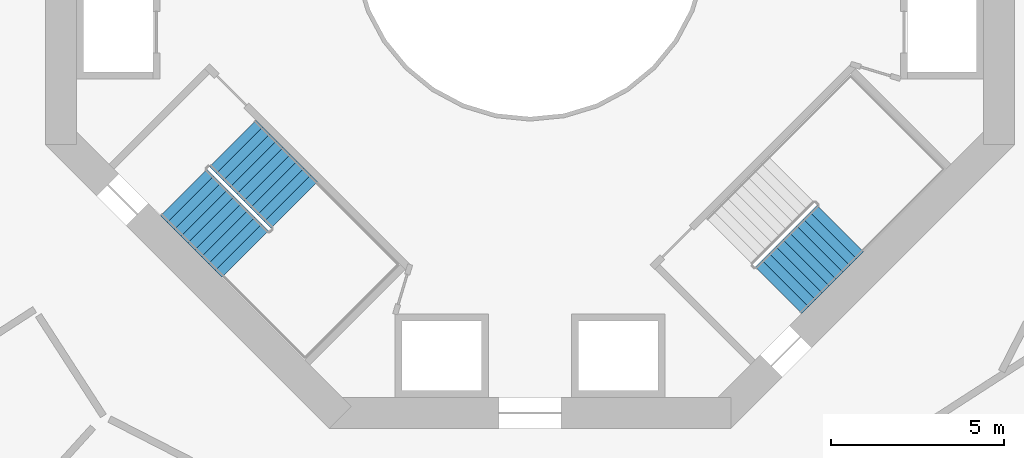
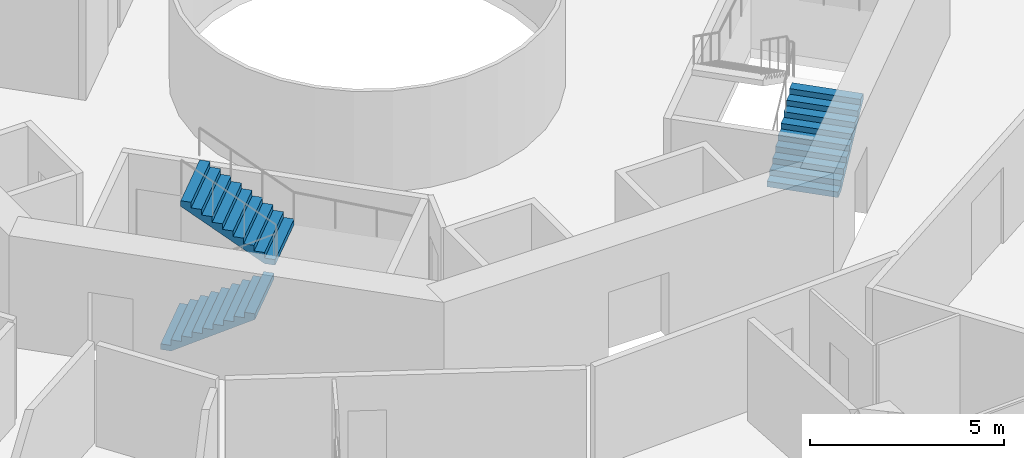
# One storey, part 23 of 25: 3 stair flights, 2 elements without a shape of their own.
"""IFC4 building model written with IfcOpenShell, lengths in metres."""

from ifc_helpers import new_model, si_unit, direction, frame, origin, place, context, subcontext, project, spatial, triangles, material, type_object, element, aggregate, save


model = new_model("IFC4")

# Units and contexts
model_context = context("Model", 3, precision=1e-05, world=origin(), true_north=direction((0.0, 1.0)))
body_context = subcontext(model_context, "Body", "Model", "MODEL_VIEW")
ifc_project = project(units=[si_unit("LENGTHUNIT", "METRE"), si_unit("AREAUNIT", "SQUARE_METRE"), si_unit("VOLUMEUNIT", "CUBIC_METRE"), si_unit("PLANEANGLEUNIT", "RADIAN"), si_unit("MASSUNIT", "GRAM", prefix="KILO")], contexts=[model_context])

# Site, building, storey
site_placement = place(None, origin())
site = spatial("IfcSite", under=ifc_project, at=site_placement, CompositionType="ELEMENT")
building_placement = place(site_placement, origin())
building = spatial("IfcBuilding", under=site, at=building_placement, Name="Verdalira Terraces Hotel", CompositionType="ELEMENT")
storey_placement = place(building_placement, frame((0.0, 0.0, 46.0)))
storey = spatial("IfcBuildingStorey", under=building, at=storey_placement, Name="L09", CompositionType="ELEMENT", Elevation=46.0)

# Stair, stair flights
ifc_material_1 = material(Name="Concrete C40", Category="concrete")
stair_type = type_object("IfcStairType", Name="Core stair 20 risers 1900 mm wide", PredefinedType="HALF_TURN_STAIR", material=ifc_material_1)
stair_1_placement = place(storey_placement, origin())
stair_1 = element("IfcStair", 1, at=stair_1_placement, inside=storey, type_object=stair_type, Name="L09 Exit stair ST2", PredefinedType="HALF_TURN_STAIR")
ifc_material_2 = material(Name="Concrete C40", Category="concrete")
stair_flight_type = type_object("IfcStairFlightType", Name="Core stair flight 20 risers 1900 mm wide", PredefinedType="STRAIGHT", material=ifc_material_2)
stair_flight_1_placement = place(storey_placement, frame((-10.005615, -7.177246, 0.0), z_axis=(0.0, 0.0, 1.0), x_axis=(0.707106781, -0.707106781, 0.0)))
stair_flight_1 = element("IfcStairFlight", 2, at=stair_flight_1_placement, type_object=stair_flight_type, Name="ST2 flight 1", NumberOfRisers=10, NumberOfTreads=9, PredefinedType="STRAIGHT", RiserHeight=0.175, TreadLength=0.28, context=body_context, shape_type="Tessellation", body=[
    triangles([(0.0, 0.949951, 0.0), (0.282715, 0.949951, 0.0), (2.52002, 0.949951, 1.398193), (0.0, -0.949951, 0.0), (0.282715, -0.949951, 0.0), (2.52002, -0.949951, 1.398193), (2.52002, 0.949951, 1.574951), (2.23999, 0.949951, 1.574951), (2.52002, -0.949951, 1.574951), (2.23999, -0.949951, 1.574951), (2.23999, 0.949951, 1.399902), (2.23999, -0.949951, 1.399902), (1.959961, 0.949951, 1.399902), (1.959961, -0.949951, 1.399902), (1.959961, 0.949951, 1.225098), (1.959961, -0.949951, 1.225098), (1.679932, 0.949951, 1.225098), (1.679932, 0.949951, 1.050049), (1.679932, -0.949951, 1.225098), (1.679932, -0.949951, 1.050049), (1.399902, 0.949951, 1.050049), (1.399902, 0.949951, 0.875), (1.399902, -0.949951, 1.050049), (1.399902, -0.949951, 0.875), (1.120117, 0.949951, 0.875), (1.120117, 0.949951, 0.699951), (1.120117, -0.949951, 0.875), (1.120117, -0.949951, 0.699951), (0.840088, 0.949951, 0.699951), (0.840088, 0.949951, 0.524902), (0.840088, -0.949951, 0.699951), (0.840088, -0.949951, 0.524902), (0.560059, 0.949951, 0.524902), (0.560059, 0.949951, 0.350098), (0.560059, -0.949951, 0.524902), (0.560059, -0.949951, 0.350098), (0.280029, 0.949951, 0.350098), (0.280029, 0.949951, 0.175049), (0.280029, -0.949951, 0.350098), (0.280029, -0.949951, 0.175049), (0.0, 0.949951, 0.175049), (0.0, -0.949951, 0.175049), (0.0, -0.890579, 0.0), (0.0, -0.890579, 0.175049), (0.0, -0.831207, 0.0), (0.0, -0.831207, 0.175049), (0.0, -0.771835, 0.0), (0.0, -0.771835, 0.175049), (0.0, -0.712463, 0.0), (0.0, -0.712463, 0.175049), (0.0, -0.653091, 0.0), (0.0, -0.653091, 0.175049), (0.0, -0.593719, 0.0), (0.0, -0.593719, 0.175049), (0.0, -0.534348, 0.0), (0.0, -0.534348, 0.175049), (0.0, -0.474976, 0.0), (0.0, -0.474976, 0.175049), (0.0, -0.415604, 0.0), (0.0, -0.415604, 0.175049), (0.0, -0.356232, 0.0), (0.0, -0.356232, 0.175049), (0.0, -0.29686, 0.0), (0.0, -0.29686, 0.175049), (0.0, -0.237488, 0.0), (0.0, -0.237488, 0.175049), (0.0, -0.178116, 0.0), (0.0, -0.178116, 0.175049), (0.0, -0.118744, 0.0), (0.0, -0.118744, 0.175049), (0.0, -0.059372, 0.0), (0.0, -0.059372, 0.175049), (0.0, 0.0, 0.0), (0.0, 0.0, 0.175049), (0.0, 0.059372, 0.0), (0.0, 0.059372, 0.175049), (0.0, 0.118744, 0.0), (0.0, 0.118744, 0.175049), (0.0, 0.178116, 0.0), (0.0, 0.178116, 0.175049), (0.0, 0.237488, 0.0), (0.0, 0.237488, 0.175049), (0.0, 0.29686, 0.0), (0.0, 0.29686, 0.175049), (0.0, 0.356232, 0.0), (0.0, 0.356232, 0.175049), (0.0, 0.415604, 0.0), (0.0, 0.415604, 0.175049), (0.0, 0.474976, 0.0), (0.0, 0.474976, 0.175049), (0.0, 0.534348, 0.0), (0.0, 0.534348, 0.175049), (0.0, 0.593719, 0.0), (0.0, 0.593719, 0.175049), (0.0, 0.653091, 0.0), (0.0, 0.653091, 0.175049), (0.0, 0.712463, 0.0), (0.0, 0.712463, 0.175049), (0.0, 0.771835, 0.0), (0.0, 0.771835, 0.175049), (0.0, 0.831207, 0.0), (0.0, 0.831207, 0.175049), (0.0, 0.890579, 0.0), (0.0, 0.890579, 0.175049), (2.52002, -0.890579, 1.574951), (2.52002, -0.831207, 1.574951), (2.52002, -0.771835, 1.574951), (2.52002, -0.712463, 1.574951), (2.52002, -0.653091, 1.574951), (2.52002, -0.593719, 1.574951), (2.52002, -0.534348, 1.574951), (2.52002, -0.474976, 1.574951), (2.52002, -0.415604, 1.574951), (2.52002, -0.356232, 1.574951), (2.52002, -0.29686, 1.574951), (2.52002, -0.237488, 1.574951), (2.52002, -0.178116, 1.574951), (2.52002, -0.118744, 1.574951), (2.52002, -0.059372, 1.574951), (2.52002, 0.0, 1.574951), (2.52002, 0.059372, 1.574951), (2.52002, 0.118744, 1.574951), (2.52002, 0.178116, 1.574951), (2.52002, 0.237488, 1.574951), (2.52002, 0.29686, 1.574951), (2.52002, 0.356232, 1.574951), (2.52002, 0.415604, 1.574951), (2.52002, 0.474976, 1.574951), (2.52002, 0.534348, 1.574951), (2.52002, 0.593719, 1.574951), (2.52002, 0.653091, 1.574951), (2.52002, 0.712463, 1.574951), (2.52002, 0.771835, 1.574951), (2.52002, 0.831207, 1.574951), (2.52002, 0.890579, 1.574951), (2.52002, -0.890579, 1.398193), (2.52002, -0.831207, 1.398193), (2.52002, -0.771835, 1.398193), (2.52002, -0.712463, 1.398193), (2.52002, -0.653091, 1.398193), (2.52002, -0.593719, 1.398193), (2.52002, -0.534348, 1.398193), (2.52002, -0.474976, 1.398193), (2.52002, -0.415604, 1.398193), (2.52002, -0.356232, 1.398193), (2.52002, -0.29686, 1.398193), (2.52002, -0.237488, 1.398193), (2.52002, -0.178116, 1.398193), (2.52002, -0.118744, 1.398193), (2.52002, -0.059372, 1.398193), (2.52002, 0.0, 1.398193), (2.52002, 0.059372, 1.398193), (2.52002, 0.118744, 1.398193), (2.52002, 0.178116, 1.398193), (2.52002, 0.237488, 1.398193), (2.52002, 0.29686, 1.398193), (2.52002, 0.356232, 1.398193), (2.52002, 0.415604, 1.398193), (2.52002, 0.474976, 1.398193), (2.52002, 0.534348, 1.398193), (2.52002, 0.593719, 1.398193), (2.52002, 0.653091, 1.398193), (2.52002, 0.712463, 1.398193), (2.52002, 0.771835, 1.398193), (2.52002, 0.831207, 1.398193), (2.52002, 0.890579, 1.398193)], [[1, 3, 2], [4, 5, 6], [3, 8, 7], [6, 9, 10], [3, 11, 8], [6, 10, 12], [3, 13, 11], [6, 12, 14], [3, 15, 13], [6, 14, 16], [15, 18, 17], [16, 19, 20], [3, 18, 15], [6, 16, 20], [18, 22, 21], [20, 23, 24], [3, 22, 18], [6, 20, 24], [22, 26, 25], [24, 27, 28], [3, 26, 22], [6, 24, 28], [26, 30, 29], [28, 31, 32], [3, 30, 26], [6, 28, 32], [1, 30, 3], [4, 6, 32], [30, 34, 33], [32, 35, 36], [34, 38, 37], [36, 39, 40], [30, 38, 34], [32, 36, 40], [1, 38, 30], [4, 32, 40], [38, 1, 41], [40, 42, 4], [4, 44, 43], [4, 42, 44], [43, 46, 45], [43, 44, 46], [45, 48, 47], [45, 46, 48], [47, 50, 49], [47, 48, 50], [49, 52, 51], [49, 50, 52], [51, 54, 53], [51, 52, 54], [53, 56, 55], [53, 54, 56], [55, 58, 57], [55, 56, 58], [57, 60, 59], [57, 58, 60], [59, 62, 61], [59, 60, 62], [61, 64, 63], [61, 62, 64], [63, 66, 65], [63, 64, 66], [65, 68, 67], [65, 66, 68], [67, 70, 69], [67, 68, 70], [69, 72, 71], [69, 70, 72], [71, 74, 73], [71, 72, 74], [73, 76, 75], [73, 74, 76], [75, 78, 77], [75, 76, 78], [77, 80, 79], [77, 78, 80], [79, 82, 81], [79, 80, 82], [81, 84, 83], [81, 82, 84], [83, 86, 85], [83, 84, 86], [85, 88, 87], [85, 86, 88], [87, 90, 89], [87, 88, 90], [89, 92, 91], [89, 90, 92], [91, 94, 93], [91, 92, 94], [93, 96, 95], [93, 94, 96], [95, 98, 97], [95, 96, 98], [97, 100, 99], [97, 98, 100], [99, 102, 101], [99, 100, 102], [101, 104, 103], [101, 102, 104], [103, 41, 1], [103, 104, 41], [42, 40, 44], [44, 40, 46], [46, 40, 48], [48, 40, 50], [50, 40, 52], [52, 40, 54], [54, 40, 56], [56, 40, 58], [58, 40, 60], [60, 40, 62], [62, 40, 64], [64, 40, 66], [66, 40, 68], [68, 40, 70], [70, 40, 72], [72, 40, 74], [74, 40, 76], [76, 40, 78], [78, 40, 80], [80, 40, 82], [82, 40, 84], [84, 40, 86], [86, 40, 88], [88, 40, 90], [90, 40, 92], [92, 40, 94], [94, 40, 96], [96, 40, 98], [98, 40, 100], [100, 40, 102], [102, 40, 104], [104, 40, 41], [41, 40, 38], [40, 37, 38], [40, 39, 37], [39, 34, 37], [39, 36, 34], [36, 33, 34], [36, 35, 33], [35, 30, 33], [35, 32, 30], [32, 29, 30], [32, 31, 29], [31, 26, 29], [31, 28, 26], [28, 25, 26], [28, 27, 25], [27, 22, 25], [27, 24, 22], [24, 21, 22], [24, 23, 21], [23, 18, 21], [23, 20, 18], [20, 17, 18], [20, 19, 17], [19, 15, 17], [19, 16, 15], [16, 13, 15], [16, 14, 13], [14, 11, 13], [14, 12, 11], [12, 8, 11], [12, 10, 8], [9, 105, 10], [105, 106, 10], [106, 107, 10], [107, 108, 10], [108, 109, 10], [109, 110, 10], [110, 111, 10], [111, 112, 10], [112, 113, 10], [113, 114, 10], [114, 115, 10], [115, 116, 10], [116, 117, 10], [117, 118, 10], [118, 119, 10], [119, 120, 10], [120, 121, 10], [121, 122, 10], [122, 123, 10], [123, 124, 10], [124, 125, 10], [125, 126, 10], [126, 127, 10], [127, 128, 10], [128, 129, 10], [129, 130, 10], [130, 131, 10], [131, 132, 10], [132, 133, 10], [133, 134, 10], [134, 135, 10], [135, 7, 10], [7, 8, 10], [9, 136, 105], [9, 6, 136], [105, 137, 106], [105, 136, 137], [106, 138, 107], [106, 137, 138], [107, 139, 108], [107, 138, 139], [108, 140, 109], [108, 139, 140], [109, 141, 110], [109, 140, 141], [110, 142, 111], [110, 141, 142], [111, 143, 112], [111, 142, 143], [112, 144, 113], [112, 143, 144], [113, 145, 114], [113, 144, 145], [114, 146, 115], [114, 145, 146], [115, 147, 116], [115, 146, 147], [116, 148, 117], [116, 147, 148], [117, 149, 118], [117, 148, 149], [118, 150, 119], [118, 149, 150], [119, 151, 120], [119, 150, 151], [120, 152, 121], [120, 151, 152], [121, 153, 122], [121, 152, 153], [122, 154, 123], [122, 153, 154], [123, 155, 124], [123, 154, 155], [124, 156, 125], [124, 155, 156], [125, 157, 126], [125, 156, 157], [126, 158, 127], [126, 157, 158], [127, 159, 128], [127, 158, 159], [128, 160, 129], [128, 159, 160], [129, 161, 130], [129, 160, 161], [130, 162, 131], [130, 161, 162], [131, 163, 132], [131, 162, 163], [132, 164, 133], [132, 163, 164], [133, 165, 134], [133, 164, 165], [134, 166, 135], [134, 165, 166], [135, 3, 7], [135, 166, 3], [6, 5, 136], [136, 5, 137], [137, 5, 138], [138, 5, 139], [139, 5, 140], [140, 5, 141], [141, 5, 142], [142, 5, 143], [143, 5, 144], [144, 5, 145], [145, 5, 146], [146, 5, 147], [147, 5, 148], [148, 5, 149], [149, 5, 150], [150, 5, 151], [151, 5, 152], [152, 5, 153], [153, 5, 154], [154, 5, 155], [155, 5, 156], [156, 5, 157], [157, 5, 158], [158, 5, 159], [159, 5, 160], [160, 5, 161], [161, 5, 162], [162, 5, 163], [163, 5, 164], [164, 5, 165], [165, 5, 166], [166, 5, 3], [3, 5, 2], [4, 43, 5], [43, 45, 5], [45, 47, 5], [47, 49, 5], [49, 51, 5], [51, 53, 5], [53, 55, 5], [55, 57, 5], [57, 59, 5], [59, 61, 5], [61, 63, 5], [63, 65, 5], [65, 67, 5], [67, 69, 5], [69, 71, 5], [71, 73, 5], [73, 75, 5], [75, 77, 5], [77, 79, 5], [79, 81, 5], [81, 83, 5], [83, 85, 5], [85, 87, 5], [87, 89, 5], [89, 91, 5], [91, 93, 5], [93, 95, 5], [95, 97, 5], [97, 99, 5], [99, 101, 5], [101, 103, 5], [103, 1, 5], [1, 2, 5]], closed=True),
])
stair_flight_2_placement = place(storey_placement, frame((-6.809326, -7.544922, 1.75), z_axis=(0.0, 0.0, 1.0), x_axis=(-0.707106781, 0.707106781, 0.0)))
stair_flight_2 = element("IfcStairFlight", 3, at=stair_flight_2_placement, type_object=stair_flight_type, Name="ST2 flight 2", NumberOfRisers=10, NumberOfTreads=9, PredefinedType="STRAIGHT", RiserHeight=0.175, TreadLength=0.28, context=body_context, shape_type="Tessellation", body=[
    triangles([(0.0, 0.949951, 0.0), (0.282715, 0.949951, 0.0), (2.52002, 0.949951, 1.398193), (0.0, -0.949951, 0.0), (0.282715, -0.949951, 0.0), (2.52002, -0.949951, 1.398193), (2.52002, 0.949951, 1.574951), (2.23999, 0.949951, 1.574951), (2.52002, -0.949951, 1.574951), (2.23999, -0.949951, 1.574951), (2.23999, 0.949951, 1.399902), (2.23999, -0.949951, 1.399902), (1.959961, 0.949951, 1.399902), (1.959961, -0.949951, 1.399902), (1.959961, 0.949951, 1.225098), (1.959961, -0.949951, 1.225098), (1.679932, 0.949951, 1.225098), (1.679932, 0.949951, 1.050049), (1.679932, -0.949951, 1.225098), (1.679932, -0.949951, 1.050049), (1.399902, 0.949951, 1.050049), (1.399902, 0.949951, 0.875), (1.399902, -0.949951, 1.050049), (1.399902, -0.949951, 0.875), (1.120117, 0.949951, 0.875), (1.120117, 0.949951, 0.699951), (1.120117, -0.949951, 0.875), (1.120117, -0.949951, 0.699951), (0.840088, 0.949951, 0.699951), (0.840088, 0.949951, 0.524902), (0.840088, -0.949951, 0.699951), (0.840088, -0.949951, 0.524902), (0.560059, 0.949951, 0.524902), (0.560059, 0.949951, 0.350098), (0.560059, -0.949951, 0.524902), (0.560059, -0.949951, 0.350098), (0.280029, 0.949951, 0.350098), (0.280029, 0.949951, 0.175049), (0.280029, -0.949951, 0.350098), (0.280029, -0.949951, 0.175049), (0.0, 0.949951, 0.175049), (0.0, -0.949951, 0.175049), (0.0, -0.890579, 0.0), (0.0, -0.890579, 0.175049), (0.0, -0.831207, 0.0), (0.0, -0.831207, 0.175049), (0.0, -0.771835, 0.0), (0.0, -0.771835, 0.175049), (0.0, -0.712463, 0.0), (0.0, -0.712463, 0.175049), (0.0, -0.653091, 0.0), (0.0, -0.653091, 0.175049), (0.0, -0.593719, 0.0), (0.0, -0.593719, 0.175049), (0.0, -0.534348, 0.0), (0.0, -0.534348, 0.175049), (0.0, -0.474976, 0.0), (0.0, -0.474976, 0.175049), (0.0, -0.415604, 0.0), (0.0, -0.415604, 0.175049), (0.0, -0.356232, 0.0), (0.0, -0.356232, 0.175049), (0.0, -0.29686, 0.0), (0.0, -0.29686, 0.175049), (0.0, -0.237488, 0.0), (0.0, -0.237488, 0.175049), (0.0, -0.178116, 0.0), (0.0, -0.178116, 0.175049), (0.0, -0.118744, 0.0), (0.0, -0.118744, 0.175049), (0.0, -0.059372, 0.0), (0.0, -0.059372, 0.175049), (0.0, 0.0, 0.0), (0.0, 0.0, 0.175049), (0.0, 0.059372, 0.0), (0.0, 0.059372, 0.175049), (0.0, 0.118744, 0.0), (0.0, 0.118744, 0.175049), (0.0, 0.178116, 0.0), (0.0, 0.178116, 0.175049), (0.0, 0.237488, 0.0), (0.0, 0.237488, 0.175049), (0.0, 0.29686, 0.0), (0.0, 0.29686, 0.175049), (0.0, 0.356232, 0.0), (0.0, 0.356232, 0.175049), (0.0, 0.415604, 0.0), (0.0, 0.415604, 0.175049), (0.0, 0.474976, 0.0), (0.0, 0.474976, 0.175049), (0.0, 0.534348, 0.0), (0.0, 0.534348, 0.175049), (0.0, 0.593719, 0.0), (0.0, 0.593719, 0.175049), (0.0, 0.653091, 0.0), (0.0, 0.653091, 0.175049), (0.0, 0.712463, 0.0), (0.0, 0.712463, 0.175049), (0.0, 0.771835, 0.0), (0.0, 0.771835, 0.175049), (0.0, 0.831207, 0.0), (0.0, 0.831207, 0.175049), (0.0, 0.890579, 0.0), (0.0, 0.890579, 0.175049), (2.52002, -0.890579, 1.574951), (2.52002, -0.831207, 1.574951), (2.52002, -0.771835, 1.574951), (2.52002, -0.712463, 1.574951), (2.52002, -0.653091, 1.574951), (2.52002, -0.593719, 1.574951), (2.52002, -0.534348, 1.574951), (2.52002, -0.474976, 1.574951), (2.52002, -0.415604, 1.574951), (2.52002, -0.356232, 1.574951), (2.52002, -0.29686, 1.574951), (2.52002, -0.237488, 1.574951), (2.52002, -0.178116, 1.574951), (2.52002, -0.118744, 1.574951), (2.52002, -0.059372, 1.574951), (2.52002, 0.0, 1.574951), (2.52002, 0.059372, 1.574951), (2.52002, 0.118744, 1.574951), (2.52002, 0.178116, 1.574951), (2.52002, 0.237488, 1.574951), (2.52002, 0.29686, 1.574951), (2.52002, 0.356232, 1.574951), (2.52002, 0.415604, 1.574951), (2.52002, 0.474976, 1.574951), (2.52002, 0.534348, 1.574951), (2.52002, 0.593719, 1.574951), (2.52002, 0.653091, 1.574951), (2.52002, 0.712463, 1.574951), (2.52002, 0.771835, 1.574951), (2.52002, 0.831207, 1.574951), (2.52002, 0.890579, 1.574951), (2.52002, -0.890579, 1.398193), (2.52002, -0.831207, 1.398193), (2.52002, -0.771835, 1.398193), (2.52002, -0.712463, 1.398193), (2.52002, -0.653091, 1.398193), (2.52002, -0.593719, 1.398193), (2.52002, -0.534348, 1.398193), (2.52002, -0.474976, 1.398193), (2.52002, -0.415604, 1.398193), (2.52002, -0.356232, 1.398193), (2.52002, -0.29686, 1.398193), (2.52002, -0.237488, 1.398193), (2.52002, -0.178116, 1.398193), (2.52002, -0.118744, 1.398193), (2.52002, -0.059372, 1.398193), (2.52002, 0.0, 1.398193), (2.52002, 0.059372, 1.398193), (2.52002, 0.118744, 1.398193), (2.52002, 0.178116, 1.398193), (2.52002, 0.237488, 1.398193), (2.52002, 0.29686, 1.398193), (2.52002, 0.356232, 1.398193), (2.52002, 0.415604, 1.398193), (2.52002, 0.474976, 1.398193), (2.52002, 0.534348, 1.398193), (2.52002, 0.593719, 1.398193), (2.52002, 0.653091, 1.398193), (2.52002, 0.712463, 1.398193), (2.52002, 0.771835, 1.398193), (2.52002, 0.831207, 1.398193), (2.52002, 0.890579, 1.398193)], [[1, 3, 2], [4, 5, 6], [3, 8, 7], [6, 9, 10], [3, 11, 8], [6, 10, 12], [3, 13, 11], [6, 12, 14], [3, 15, 13], [6, 14, 16], [15, 18, 17], [16, 19, 20], [3, 18, 15], [6, 16, 20], [18, 22, 21], [20, 23, 24], [3, 22, 18], [6, 20, 24], [22, 26, 25], [24, 27, 28], [3, 26, 22], [6, 24, 28], [26, 30, 29], [28, 31, 32], [3, 30, 26], [6, 28, 32], [1, 30, 3], [4, 6, 32], [30, 34, 33], [32, 35, 36], [34, 38, 37], [36, 39, 40], [30, 38, 34], [32, 36, 40], [1, 38, 30], [4, 32, 40], [38, 1, 41], [40, 42, 4], [4, 44, 43], [4, 42, 44], [43, 46, 45], [43, 44, 46], [45, 48, 47], [45, 46, 48], [47, 50, 49], [47, 48, 50], [49, 52, 51], [49, 50, 52], [51, 54, 53], [51, 52, 54], [53, 56, 55], [53, 54, 56], [55, 58, 57], [55, 56, 58], [57, 60, 59], [57, 58, 60], [59, 62, 61], [59, 60, 62], [61, 64, 63], [61, 62, 64], [63, 66, 65], [63, 64, 66], [65, 68, 67], [65, 66, 68], [67, 70, 69], [67, 68, 70], [69, 72, 71], [69, 70, 72], [71, 74, 73], [71, 72, 74], [73, 76, 75], [73, 74, 76], [75, 78, 77], [75, 76, 78], [77, 80, 79], [77, 78, 80], [79, 82, 81], [79, 80, 82], [81, 84, 83], [81, 82, 84], [83, 86, 85], [83, 84, 86], [85, 88, 87], [85, 86, 88], [87, 90, 89], [87, 88, 90], [89, 92, 91], [89, 90, 92], [91, 94, 93], [91, 92, 94], [93, 96, 95], [93, 94, 96], [95, 98, 97], [95, 96, 98], [97, 100, 99], [97, 98, 100], [99, 102, 101], [99, 100, 102], [101, 104, 103], [101, 102, 104], [103, 41, 1], [103, 104, 41], [42, 40, 44], [44, 40, 46], [46, 40, 48], [48, 40, 50], [50, 40, 52], [52, 40, 54], [54, 40, 56], [56, 40, 58], [58, 40, 60], [60, 40, 62], [62, 40, 64], [64, 40, 66], [66, 40, 68], [68, 40, 70], [70, 40, 72], [72, 40, 74], [74, 40, 76], [76, 40, 78], [78, 40, 80], [80, 40, 82], [82, 40, 84], [84, 40, 86], [86, 40, 88], [88, 40, 90], [90, 40, 92], [92, 40, 94], [94, 40, 96], [96, 40, 98], [98, 40, 100], [100, 40, 102], [102, 40, 104], [104, 40, 41], [41, 40, 38], [40, 37, 38], [40, 39, 37], [39, 34, 37], [39, 36, 34], [36, 33, 34], [36, 35, 33], [35, 30, 33], [35, 32, 30], [32, 29, 30], [32, 31, 29], [31, 26, 29], [31, 28, 26], [28, 25, 26], [28, 27, 25], [27, 22, 25], [27, 24, 22], [24, 21, 22], [24, 23, 21], [23, 18, 21], [23, 20, 18], [20, 17, 18], [20, 19, 17], [19, 15, 17], [19, 16, 15], [16, 13, 15], [16, 14, 13], [14, 11, 13], [14, 12, 11], [12, 8, 11], [12, 10, 8], [9, 105, 10], [105, 106, 10], [106, 107, 10], [107, 108, 10], [108, 109, 10], [109, 110, 10], [110, 111, 10], [111, 112, 10], [112, 113, 10], [113, 114, 10], [114, 115, 10], [115, 116, 10], [116, 117, 10], [117, 118, 10], [118, 119, 10], [119, 120, 10], [120, 121, 10], [121, 122, 10], [122, 123, 10], [123, 124, 10], [124, 125, 10], [125, 126, 10], [126, 127, 10], [127, 128, 10], [128, 129, 10], [129, 130, 10], [130, 131, 10], [131, 132, 10], [132, 133, 10], [133, 134, 10], [134, 135, 10], [135, 7, 10], [7, 8, 10], [9, 136, 105], [9, 6, 136], [105, 137, 106], [105, 136, 137], [106, 138, 107], [106, 137, 138], [107, 139, 108], [107, 138, 139], [108, 140, 109], [108, 139, 140], [109, 141, 110], [109, 140, 141], [110, 142, 111], [110, 141, 142], [111, 143, 112], [111, 142, 143], [112, 144, 113], [112, 143, 144], [113, 145, 114], [113, 144, 145], [114, 146, 115], [114, 145, 146], [115, 147, 116], [115, 146, 147], [116, 148, 117], [116, 147, 148], [117, 149, 118], [117, 148, 149], [118, 150, 119], [118, 149, 150], [119, 151, 120], [119, 150, 151], [120, 152, 121], [120, 151, 152], [121, 153, 122], [121, 152, 153], [122, 154, 123], [122, 153, 154], [123, 155, 124], [123, 154, 155], [124, 156, 125], [124, 155, 156], [125, 157, 126], [125, 156, 157], [126, 158, 127], [126, 157, 158], [127, 159, 128], [127, 158, 159], [128, 160, 129], [128, 159, 160], [129, 161, 130], [129, 160, 161], [130, 162, 131], [130, 161, 162], [131, 163, 132], [131, 162, 163], [132, 164, 133], [132, 163, 164], [133, 165, 134], [133, 164, 165], [134, 166, 135], [134, 165, 166], [135, 3, 7], [135, 166, 3], [6, 5, 136], [136, 5, 137], [137, 5, 138], [138, 5, 139], [139, 5, 140], [140, 5, 141], [141, 5, 142], [142, 5, 143], [143, 5, 144], [144, 5, 145], [145, 5, 146], [146, 5, 147], [147, 5, 148], [148, 5, 149], [149, 5, 150], [150, 5, 151], [151, 5, 152], [152, 5, 153], [153, 5, 154], [154, 5, 155], [155, 5, 156], [156, 5, 157], [157, 5, 158], [158, 5, 159], [159, 5, 160], [160, 5, 161], [161, 5, 162], [162, 5, 163], [163, 5, 164], [164, 5, 165], [165, 5, 166], [166, 5, 3], [3, 5, 2], [4, 43, 5], [43, 45, 5], [45, 47, 5], [47, 49, 5], [49, 51, 5], [51, 53, 5], [53, 55, 5], [55, 57, 5], [57, 59, 5], [59, 61, 5], [61, 63, 5], [63, 65, 5], [65, 67, 5], [67, 69, 5], [69, 71, 5], [71, 73, 5], [73, 75, 5], [75, 77, 5], [77, 79, 5], [79, 81, 5], [81, 83, 5], [83, 85, 5], [85, 87, 5], [87, 89, 5], [89, 91, 5], [91, 93, 5], [93, 95, 5], [95, 97, 5], [97, 99, 5], [99, 101, 5], [101, 103, 5], [103, 1, 5], [1, 2, 5]], closed=True),
])
aggregate(stair_1, [stair_flight_1, stair_flight_2])

# Stair, stair flight
stair_2_placement = place(storey_placement, origin())
stair_2 = element("IfcStair", 4, at=stair_2_placement, inside=storey, type_object=stair_type, Name="L09 Exit stair ST3", PredefinedType="HALF_TURN_STAIR")
stair_flight_3_placement = place(storey_placement, frame((7.177246, -10.005615, 0.0), z_axis=(0.0, 0.0, 1.0), x_axis=(0.707106781, 0.707106781, 0.0)))
stair_flight_3 = element("IfcStairFlight", 5, at=stair_flight_3_placement, type_object=stair_flight_type, Name="ST3 flight 1", NumberOfRisers=10, NumberOfTreads=9, PredefinedType="STRAIGHT", RiserHeight=0.175, TreadLength=0.28, context=body_context, shape_type="Tessellation", body=[
    triangles([(0.0, 0.949951, 0.0), (0.282715, 0.949951, 0.0), (2.52002, 0.949951, 1.398193), (0.0, -0.949951, 0.0), (0.282715, -0.949951, 0.0), (2.52002, -0.949951, 1.398193), (2.52002, 0.949951, 1.574951), (2.23999, 0.949951, 1.574951), (2.52002, -0.949951, 1.574951), (2.23999, -0.949951, 1.574951), (2.23999, 0.949951, 1.399902), (2.23999, -0.949951, 1.399902), (1.959961, 0.949951, 1.399902), (1.959961, -0.949951, 1.399902), (1.959961, 0.949951, 1.225098), (1.959961, -0.949951, 1.225098), (1.679932, 0.949951, 1.225098), (1.679932, 0.949951, 1.050049), (1.679932, -0.949951, 1.225098), (1.679932, -0.949951, 1.050049), (1.399902, 0.949951, 1.050049), (1.399902, 0.949951, 0.875), (1.399902, -0.949951, 1.050049), (1.399902, -0.949951, 0.875), (1.120117, 0.949951, 0.875), (1.120117, 0.949951, 0.699951), (1.120117, -0.949951, 0.875), (1.120117, -0.949951, 0.699951), (0.840088, 0.949951, 0.699951), (0.840088, 0.949951, 0.524902), (0.840088, -0.949951, 0.699951), (0.840088, -0.949951, 0.524902), (0.560059, 0.949951, 0.524902), (0.560059, 0.949951, 0.350098), (0.560059, -0.949951, 0.524902), (0.560059, -0.949951, 0.350098), (0.280029, 0.949951, 0.350098), (0.280029, 0.949951, 0.175049), (0.280029, -0.949951, 0.350098), (0.280029, -0.949951, 0.175049), (0.0, 0.949951, 0.175049), (0.0, -0.949951, 0.175049), (0.0, -0.890579, 0.0), (0.0, -0.890579, 0.175049), (0.0, -0.831207, 0.0), (0.0, -0.831207, 0.175049), (0.0, -0.771835, 0.0), (0.0, -0.771835, 0.175049), (0.0, -0.712463, 0.0), (0.0, -0.712463, 0.175049), (0.0, -0.653091, 0.0), (0.0, -0.653091, 0.175049), (0.0, -0.593719, 0.0), (0.0, -0.593719, 0.175049), (0.0, -0.534348, 0.0), (0.0, -0.534348, 0.175049), (0.0, -0.474976, 0.0), (0.0, -0.474976, 0.175049), (0.0, -0.415604, 0.0), (0.0, -0.415604, 0.175049), (0.0, -0.356232, 0.0), (0.0, -0.356232, 0.175049), (0.0, -0.29686, 0.0), (0.0, -0.29686, 0.175049), (0.0, -0.237488, 0.0), (0.0, -0.237488, 0.175049), (0.0, -0.178116, 0.0), (0.0, -0.178116, 0.175049), (0.0, -0.118744, 0.0), (0.0, -0.118744, 0.175049), (0.0, -0.059372, 0.0), (0.0, -0.059372, 0.175049), (0.0, 0.0, 0.0), (0.0, 0.0, 0.175049), (0.0, 0.059372, 0.0), (0.0, 0.059372, 0.175049), (0.0, 0.118744, 0.0), (0.0, 0.118744, 0.175049), (0.0, 0.178116, 0.0), (0.0, 0.178116, 0.175049), (0.0, 0.237488, 0.0), (0.0, 0.237488, 0.175049), (0.0, 0.29686, 0.0), (0.0, 0.29686, 0.175049), (0.0, 0.356232, 0.0), (0.0, 0.356232, 0.175049), (0.0, 0.415604, 0.0), (0.0, 0.415604, 0.175049), (0.0, 0.474976, 0.0), (0.0, 0.474976, 0.175049), (0.0, 0.534348, 0.0), (0.0, 0.534348, 0.175049), (0.0, 0.593719, 0.0), (0.0, 0.593719, 0.175049), (0.0, 0.653091, 0.0), (0.0, 0.653091, 0.175049), (0.0, 0.712463, 0.0), (0.0, 0.712463, 0.175049), (0.0, 0.771835, 0.0), (0.0, 0.771835, 0.175049), (0.0, 0.831207, 0.0), (0.0, 0.831207, 0.175049), (0.0, 0.890579, 0.0), (0.0, 0.890579, 0.175049), (2.52002, -0.890579, 1.574951), (2.52002, -0.831207, 1.574951), (2.52002, -0.771835, 1.574951), (2.52002, -0.712463, 1.574951), (2.52002, -0.653091, 1.574951), (2.52002, -0.593719, 1.574951), (2.52002, -0.534348, 1.574951), (2.52002, -0.474976, 1.574951), (2.52002, -0.415604, 1.574951), (2.52002, -0.356232, 1.574951), (2.52002, -0.29686, 1.574951), (2.52002, -0.237488, 1.574951), (2.52002, -0.178116, 1.574951), (2.52002, -0.118744, 1.574951), (2.52002, -0.059372, 1.574951), (2.52002, 0.0, 1.574951), (2.52002, 0.059372, 1.574951), (2.52002, 0.118744, 1.574951), (2.52002, 0.178116, 1.574951), (2.52002, 0.237488, 1.574951), (2.52002, 0.29686, 1.574951), (2.52002, 0.356232, 1.574951), (2.52002, 0.415604, 1.574951), (2.52002, 0.474976, 1.574951), (2.52002, 0.534348, 1.574951), (2.52002, 0.593719, 1.574951), (2.52002, 0.653091, 1.574951), (2.52002, 0.712463, 1.574951), (2.52002, 0.771835, 1.574951), (2.52002, 0.831207, 1.574951), (2.52002, 0.890579, 1.574951), (2.52002, -0.890579, 1.398193), (2.52002, -0.831207, 1.398193), (2.52002, -0.771835, 1.398193), (2.52002, -0.712463, 1.398193), (2.52002, -0.653091, 1.398193), (2.52002, -0.593719, 1.398193), (2.52002, -0.534348, 1.398193), (2.52002, -0.474976, 1.398193), (2.52002, -0.415604, 1.398193), (2.52002, -0.356232, 1.398193), (2.52002, -0.29686, 1.398193), (2.52002, -0.237488, 1.398193), (2.52002, -0.178116, 1.398193), (2.52002, -0.118744, 1.398193), (2.52002, -0.059372, 1.398193), (2.52002, 0.0, 1.398193), (2.52002, 0.059372, 1.398193), (2.52002, 0.118744, 1.398193), (2.52002, 0.178116, 1.398193), (2.52002, 0.237488, 1.398193), (2.52002, 0.29686, 1.398193), (2.52002, 0.356232, 1.398193), (2.52002, 0.415604, 1.398193), (2.52002, 0.474976, 1.398193), (2.52002, 0.534348, 1.398193), (2.52002, 0.593719, 1.398193), (2.52002, 0.653091, 1.398193), (2.52002, 0.712463, 1.398193), (2.52002, 0.771835, 1.398193), (2.52002, 0.831207, 1.398193), (2.52002, 0.890579, 1.398193)], [[1, 3, 2], [4, 5, 6], [3, 8, 7], [6, 9, 10], [3, 11, 8], [6, 10, 12], [3, 13, 11], [6, 12, 14], [3, 15, 13], [6, 14, 16], [15, 18, 17], [16, 19, 20], [3, 18, 15], [6, 16, 20], [18, 22, 21], [20, 23, 24], [3, 22, 18], [6, 20, 24], [22, 26, 25], [24, 27, 28], [3, 26, 22], [6, 24, 28], [26, 30, 29], [28, 31, 32], [3, 30, 26], [6, 28, 32], [1, 30, 3], [4, 6, 32], [30, 34, 33], [32, 35, 36], [34, 38, 37], [36, 39, 40], [30, 38, 34], [32, 36, 40], [1, 38, 30], [4, 32, 40], [38, 1, 41], [40, 42, 4], [4, 44, 43], [4, 42, 44], [43, 46, 45], [43, 44, 46], [45, 48, 47], [45, 46, 48], [47, 50, 49], [47, 48, 50], [49, 52, 51], [49, 50, 52], [51, 54, 53], [51, 52, 54], [53, 56, 55], [53, 54, 56], [55, 58, 57], [55, 56, 58], [57, 60, 59], [57, 58, 60], [59, 62, 61], [59, 60, 62], [61, 64, 63], [61, 62, 64], [63, 66, 65], [63, 64, 66], [65, 68, 67], [65, 66, 68], [67, 70, 69], [67, 68, 70], [69, 72, 71], [69, 70, 72], [71, 74, 73], [71, 72, 74], [73, 76, 75], [73, 74, 76], [75, 78, 77], [75, 76, 78], [77, 80, 79], [77, 78, 80], [79, 82, 81], [79, 80, 82], [81, 84, 83], [81, 82, 84], [83, 86, 85], [83, 84, 86], [85, 88, 87], [85, 86, 88], [87, 90, 89], [87, 88, 90], [89, 92, 91], [89, 90, 92], [91, 94, 93], [91, 92, 94], [93, 96, 95], [93, 94, 96], [95, 98, 97], [95, 96, 98], [97, 100, 99], [97, 98, 100], [99, 102, 101], [99, 100, 102], [101, 104, 103], [101, 102, 104], [103, 41, 1], [103, 104, 41], [42, 40, 44], [44, 40, 46], [46, 40, 48], [48, 40, 50], [50, 40, 52], [52, 40, 54], [54, 40, 56], [56, 40, 58], [58, 40, 60], [60, 40, 62], [62, 40, 64], [64, 40, 66], [66, 40, 68], [68, 40, 70], [70, 40, 72], [72, 40, 74], [74, 40, 76], [76, 40, 78], [78, 40, 80], [80, 40, 82], [82, 40, 84], [84, 40, 86], [86, 40, 88], [88, 40, 90], [90, 40, 92], [92, 40, 94], [94, 40, 96], [96, 40, 98], [98, 40, 100], [100, 40, 102], [102, 40, 104], [104, 40, 41], [41, 40, 38], [40, 37, 38], [40, 39, 37], [39, 34, 37], [39, 36, 34], [36, 33, 34], [36, 35, 33], [35, 30, 33], [35, 32, 30], [32, 29, 30], [32, 31, 29], [31, 26, 29], [31, 28, 26], [28, 25, 26], [28, 27, 25], [27, 22, 25], [27, 24, 22], [24, 21, 22], [24, 23, 21], [23, 18, 21], [23, 20, 18], [20, 17, 18], [20, 19, 17], [19, 15, 17], [19, 16, 15], [16, 13, 15], [16, 14, 13], [14, 11, 13], [14, 12, 11], [12, 8, 11], [12, 10, 8], [9, 105, 10], [105, 106, 10], [106, 107, 10], [107, 108, 10], [108, 109, 10], [109, 110, 10], [110, 111, 10], [111, 112, 10], [112, 113, 10], [113, 114, 10], [114, 115, 10], [115, 116, 10], [116, 117, 10], [117, 118, 10], [118, 119, 10], [119, 120, 10], [120, 121, 10], [121, 122, 10], [122, 123, 10], [123, 124, 10], [124, 125, 10], [125, 126, 10], [126, 127, 10], [127, 128, 10], [128, 129, 10], [129, 130, 10], [130, 131, 10], [131, 132, 10], [132, 133, 10], [133, 134, 10], [134, 135, 10], [135, 7, 10], [7, 8, 10], [9, 136, 105], [9, 6, 136], [105, 137, 106], [105, 136, 137], [106, 138, 107], [106, 137, 138], [107, 139, 108], [107, 138, 139], [108, 140, 109], [108, 139, 140], [109, 141, 110], [109, 140, 141], [110, 142, 111], [110, 141, 142], [111, 143, 112], [111, 142, 143], [112, 144, 113], [112, 143, 144], [113, 145, 114], [113, 144, 145], [114, 146, 115], [114, 145, 146], [115, 147, 116], [115, 146, 147], [116, 148, 117], [116, 147, 148], [117, 149, 118], [117, 148, 149], [118, 150, 119], [118, 149, 150], [119, 151, 120], [119, 150, 151], [120, 152, 121], [120, 151, 152], [121, 153, 122], [121, 152, 153], [122, 154, 123], [122, 153, 154], [123, 155, 124], [123, 154, 155], [124, 156, 125], [124, 155, 156], [125, 157, 126], [125, 156, 157], [126, 158, 127], [126, 157, 158], [127, 159, 128], [127, 158, 159], [128, 160, 129], [128, 159, 160], [129, 161, 130], [129, 160, 161], [130, 162, 131], [130, 161, 162], [131, 163, 132], [131, 162, 163], [132, 164, 133], [132, 163, 164], [133, 165, 134], [133, 164, 165], [134, 166, 135], [134, 165, 166], [135, 3, 7], [135, 166, 3], [6, 5, 136], [136, 5, 137], [137, 5, 138], [138, 5, 139], [139, 5, 140], [140, 5, 141], [141, 5, 142], [142, 5, 143], [143, 5, 144], [144, 5, 145], [145, 5, 146], [146, 5, 147], [147, 5, 148], [148, 5, 149], [149, 5, 150], [150, 5, 151], [151, 5, 152], [152, 5, 153], [153, 5, 154], [154, 5, 155], [155, 5, 156], [156, 5, 157], [157, 5, 158], [158, 5, 159], [159, 5, 160], [160, 5, 161], [161, 5, 162], [162, 5, 163], [163, 5, 164], [164, 5, 165], [165, 5, 166], [166, 5, 3], [3, 5, 2], [4, 43, 5], [43, 45, 5], [45, 47, 5], [47, 49, 5], [49, 51, 5], [51, 53, 5], [53, 55, 5], [55, 57, 5], [57, 59, 5], [59, 61, 5], [61, 63, 5], [63, 65, 5], [65, 67, 5], [67, 69, 5], [69, 71, 5], [71, 73, 5], [73, 75, 5], [75, 77, 5], [77, 79, 5], [79, 81, 5], [81, 83, 5], [83, 85, 5], [85, 87, 5], [87, 89, 5], [89, 91, 5], [91, 93, 5], [93, 95, 5], [95, 97, 5], [97, 99, 5], [99, 101, 5], [101, 103, 5], [103, 1, 5], [1, 2, 5]], closed=True),
])
aggregate(stair_2, [stair_flight_3])

save(model, "model.ifc")
